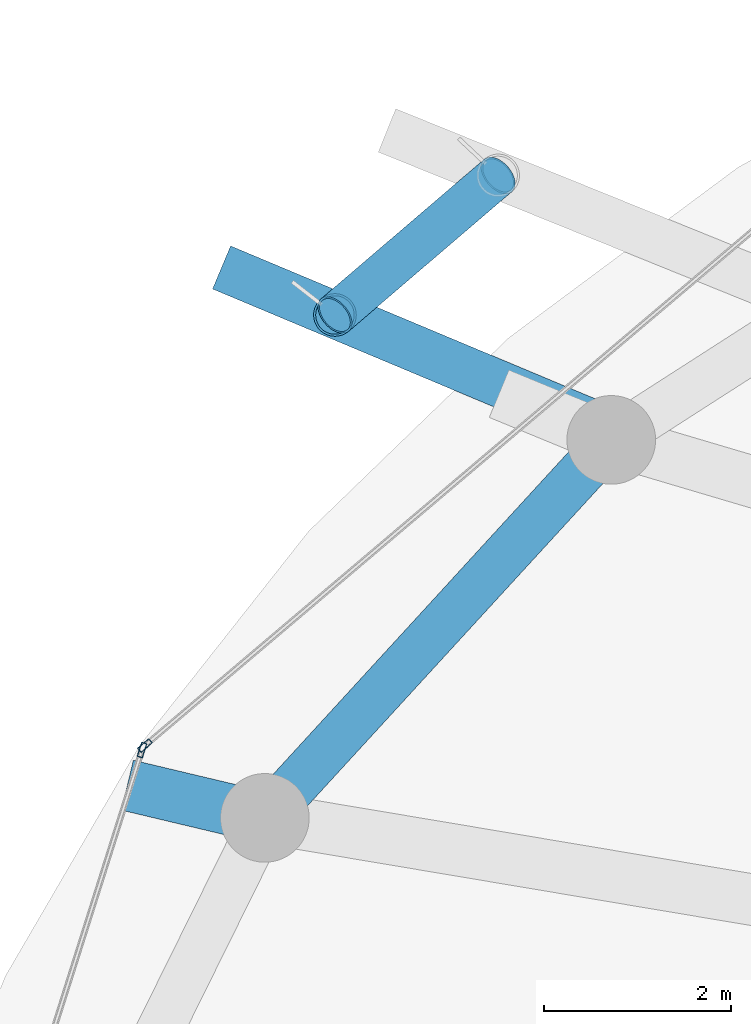
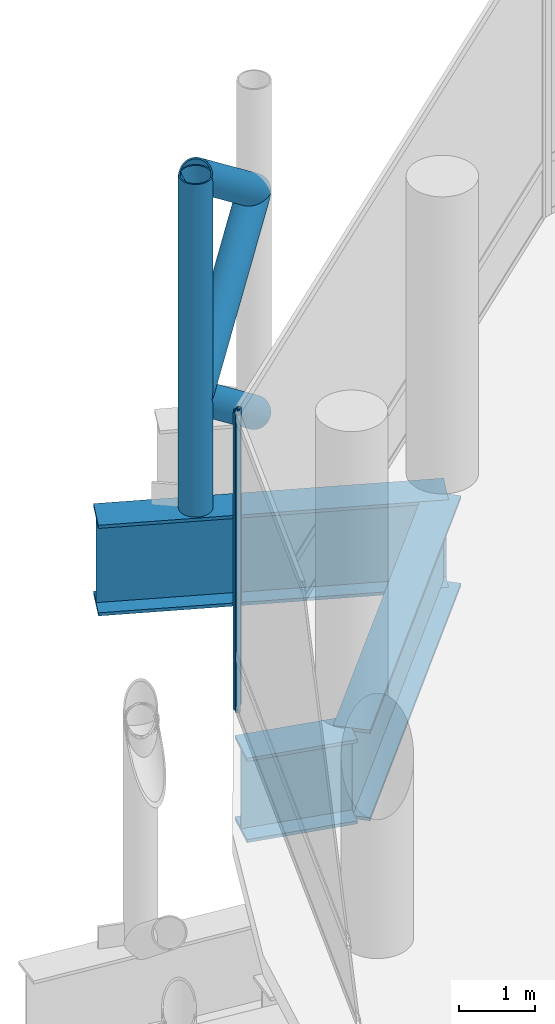
# One storey, part 13 of 29: 6 members, 3 beams, 2 elements without a shape of their own.
"""IFC4 building model written with IfcOpenShell, lengths in metres."""

from ifc_helpers import new_model, si_unit, direction, frame, origin, origin_2d, place, context, subcontext, project, spatial, hollow_rectangle, hollow_circle, i_section, extrude, material, layer, layer_set, material_profile, profile_set, type_object, element, aggregate, save


model = new_model("IFC4")

# Units and contexts
model_context = context("Model", 3, precision=1e-05, world=origin(), true_north=direction((0.0, 1.0)))
body_context = subcontext(model_context, "Body", "Model", "MODEL_VIEW")
ifc_project = project(units=[si_unit("LENGTHUNIT", "METRE"), si_unit("AREAUNIT", "SQUARE_METRE"), si_unit("VOLUMEUNIT", "CUBIC_METRE"), si_unit("PLANEANGLEUNIT", "RADIAN"), si_unit("MASSUNIT", "GRAM", prefix="KILO")], contexts=[model_context])

# Site, building, storey
site_placement = place(None, origin())
site = spatial("IfcSite", under=ifc_project, at=site_placement, CompositionType="ELEMENT")
building_placement = place(site_placement, origin())
building = spatial("IfcBuilding", under=site, at=building_placement, Name="Nuhasar Tower", CompositionType="ELEMENT")
storey_placement = place(building_placement, frame((0.0, 0.0, 113.25)))
storey = spatial("IfcBuildingStorey", under=building, at=storey_placement, Name="L26", CompositionType="ELEMENT", Elevation=113.25)

# Beams
ifc_material_1 = material(Name="Steel S460", Category="steel")
ifc_material_profile_1 = material_profile(ifc_material_1, i_section(OverallWidth=0.550048828125, OverallDepth=1.35009765625, WebThickness=0.028076171875, FlangeThickness=0.050048828125, at=origin_2d()), Name="PG1350X550")
ifc_profile_set_1 = profile_set([ifc_material_profile_1], Name="Steel S460")
beam_type_1 = type_object("IfcBeamType", Name="BM-XFER-PG1350", PredefinedType="USERDEFINED", material=ifc_profile_set_1)
beam_1_placement = place(storey_placement, frame((18.778076171875, 36.574951171875, -0.9951171875), z_axis=(-0.972868498896, 0.231358777349, 0.0), x_axis=(-0.231358777349, -0.972868498896, 0.0)))
element("IfcBeam", 1, at=beam_1_placement, inside=storey, type_object=beam_type_1, Name="L26 Outer Column Step Transfer Girder 11", ObjectType="GIRDER", PredefinedType="USERDEFINED", context=body_context, shape_type="SweptSolid", body=[
    extrude(i_section(OverallWidth=0.550048828125, OverallDepth=1.35009765625, WebThickness=0.028076171875, FlangeThickness=0.050048828125, at=origin_2d()), origin(), (0.0, 0.0, 1.0), 1.51318359375),
])
ifc_material_profile_2 = material_profile(ifc_material_1, i_section(OverallWidth=0.5, OverallDepth=1.449951171875, WebThickness=0.028076171875, FlangeThickness=0.050048828125, at=origin_2d()), Name="PG1450X500")
ifc_profile_set_2 = profile_set([ifc_material_profile_2], Name="Steel S460")
beam_type_2 = type_object("IfcBeamType", Name="BM-XFER-PG1450", PredefinedType="USERDEFINED", material=ifc_profile_set_2)
beam_2_placement = place(storey_placement, frame((22.489013671875, 40.6240234375, -1.044921875), z_axis=(-0.675654174897, -0.737218716491, 0.0), x_axis=(0.737218716491, -0.675654174897, 0.0)))
element("IfcBeam", 2, at=beam_2_placement, inside=storey, type_object=beam_type_2, Name="L26 Perimeter Ring Spandrel 10", ObjectType="GIRDER", PredefinedType="USERDEFINED", context=body_context, shape_type="SweptSolid", body=[
    extrude(i_section(OverallWidth=0.5, OverallDepth=1.449951171875, WebThickness=0.028076171875, FlangeThickness=0.050048828125, at=origin_2d()), origin(), (0.0, 0.0, 1.0), 5.492431640625),
])
beam_3_placement = place(storey_placement, frame((22.580078125, 40.68310546875, -1.044921875), z_axis=(-0.922253281797, 0.386586192478, 0.0), x_axis=(-0.386586192478, -0.922253281797, 0.0)))
element("IfcBeam", 3, at=beam_3_placement, inside=storey, type_object=beam_type_2, Name="L26 Exoskeleton Step Transfer Girder 10", ObjectType="GIRDER", PredefinedType="USERDEFINED", context=body_context, shape_type="SweptSolid", body=[
    extrude(i_section(OverallWidth=0.5, OverallDepth=1.449951171875, WebThickness=0.028076171875, FlangeThickness=0.050048828125, at=origin_2d()), origin(), (0.0, 0.0, 1.0), 4.624755859375),
])

# Curtain wall, member
ifc_material_2 = material(Name="Aluminium 6063-T6", Category="aluminium")
ifc_layer = layer(ifc_material_2, 0.239990234375)
ifc_layer_set = layer_set([ifc_layer], Name="Aluminium 6063-T6")
curtain_wall_type = type_object("IfcCurtainWallType", Name="CW-SKY-LBY", PredefinedType="NOTDEFINED", material=ifc_layer_set)
curtain_wall_1_placement = place(storey_placement, origin())
curtain_wall_1 = element("IfcCurtainWall", 4, at=curtain_wall_1_placement, inside=storey, type_object=curtain_wall_type, Name="L26 Unitised Curtain Wall 05", PredefinedType="NOTDEFINED")
ifc_material_profile_3 = material_profile(ifc_material_2, hollow_rectangle(XDim=0.06005859375, YDim=0.159912109375, WallThickness=0.0048828125, at=origin_2d()), Name="CWM-6")
ifc_profile_set_3 = profile_set([ifc_material_profile_3], Name="Aluminium 6063-T6")
member_type_1 = type_object("IfcMemberType", Name="CW-MUL-S6", PredefinedType="MULLION", material=ifc_profile_set_3)
member_1_placement = place(storey_placement, frame((17.493896484375, 37.349365234375, 0.0), z_axis=(0.0, 0.0, 1.0), x_axis=(0.646374438324, -0.763020370292, 0.0)))
member_1 = element("IfcMember", 5, at=member_1_placement, type_object=member_type_1, Name="CW-SL mullion 2", PredefinedType="MULLION", context=body_context, shape_type="SweptSolid", body=[
    extrude(hollow_rectangle(XDim=0.06005859375, YDim=0.159912109375, WallThickness=0.0048828125, at=origin_2d()), origin(), (0.0, 0.0, 1.0), 4.75),
])
aggregate(curtain_wall_1, [member_1])

curtain_wall_2_placement = place(storey_placement, origin())
curtain_wall_2 = element("IfcCurtainWall", 6, at=curtain_wall_2_placement, inside=storey, type_object=curtain_wall_type, Name="L26 Unitised Curtain Wall 06", PredefinedType="NOTDEFINED")
member_2_placement = place(storey_placement, frame((17.4619140625, 37.301513671875, 0.0), z_axis=(0.0, 0.0, 1.0), x_axis=(0.953433389233, -0.301603667577, 0.0)))
member_2 = element("IfcMember", 7, at=member_2_placement, type_object=member_type_1, Name="CW-SL mullion 1", PredefinedType="MULLION", context=body_context, shape_type="SweptSolid", body=[
    extrude(hollow_rectangle(XDim=0.06005859375, YDim=0.159912109375, WallThickness=0.0048828125, at=origin_2d()), origin(), (0.0, 0.0, 1.0), 4.75),
])
aggregate(curtain_wall_2, [member_2])

# Members
ifc_material_profile_4 = material_profile(ifc_material_1, hollow_circle(Radius=0.228515625, WallThickness=0.022216796875, at=origin_2d()), Name="HSS457X22.2")
ifc_profile_set_4 = profile_set([ifc_material_profile_4], Name="Steel S460")
member_type_2 = type_object("IfcMemberType", Name="EXO-BRONZE-457", PredefinedType="BRACE", material=ifc_profile_set_4)
member_3_placement = place(storey_placement, frame((19.529052734375, 41.9619140625, -0.320068359375), z_axis=(0.0, 0.0, 1.0), x_axis=(1.0, 0.0, 0.0)))
element("IfcMember", 8, at=member_3_placement, inside=storey, type_object=member_type_2, Name="L26 Exoskeleton Chord Column EC-05B", PredefinedType="BRACE", context=body_context, shape_type="SweptSolid", body=[
    extrude(hollow_circle(Radius=0.228515625, WallThickness=0.022216796875, at=origin_2d()), origin(), (0.0, 0.0, 1.0), 5.320068359375),
])
member_4_placement = place(storey_placement, frame((21.277099609375, 43.45703125, -0.320068359375), z_axis=(-0.60190254279, -0.514811616208, 0.610477132087), x_axis=(0.649986859795, -0.759945446788, 0.0)))
element("IfcMember", 9, at=member_4_placement, inside=storey, type_object=member_type_2, Name="L26 Bronze Diagrid Brace W1-05", PredefinedType="BRACE", context=body_context, shape_type="SweptSolid", body=[
    extrude(hollow_circle(Radius=0.228515625, WallThickness=0.022216796875, at=origin_2d()), origin(), (0.0, 0.0, 1.0), 2.904296875),
])
member_5_placement = place(storey_placement, frame((19.529052734375, 41.9619140625, 1.452880859375), z_axis=(0.601748102345, 0.514679522173, 0.610740706667), x_axis=(-0.649986859795, 0.759945446788, 0.0)))
element("IfcMember", 10, at=member_5_placement, inside=storey, type_object=member_type_2, Name="L26 Bronze Diagrid Brace W2-05", PredefinedType="BRACE", context=body_context, shape_type="SweptSolid", body=[
    extrude(hollow_circle(Radius=0.228515625, WallThickness=0.022216796875, at=origin_2d()), origin(), (0.0, 0.0, 1.0), 2.905029296875),
])
member_6_placement = place(storey_placement, frame((21.277099609375, 43.45703125, 3.22705078125), z_axis=(-0.60190254279, -0.514811616208, 0.610477132087), x_axis=(0.649986859795, -0.759945446788, 0.0)))
element("IfcMember", 11, at=member_6_placement, inside=storey, type_object=member_type_2, Name="L26 Bronze Diagrid Brace W3-05", PredefinedType="BRACE", context=body_context, shape_type="SweptSolid", body=[
    extrude(hollow_circle(Radius=0.228515625, WallThickness=0.022216796875, at=origin_2d()), origin(), (0.0, 0.0, 1.0), 2.904296875),
])

save(model, "model.ifc")
